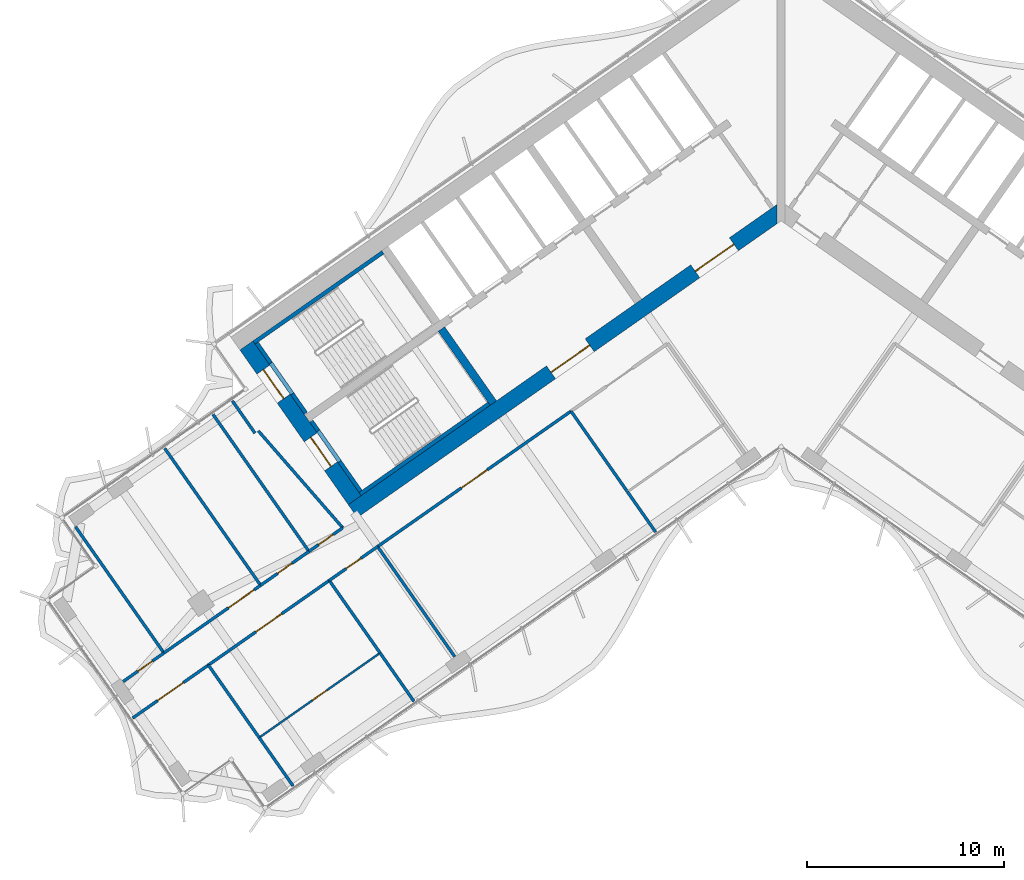
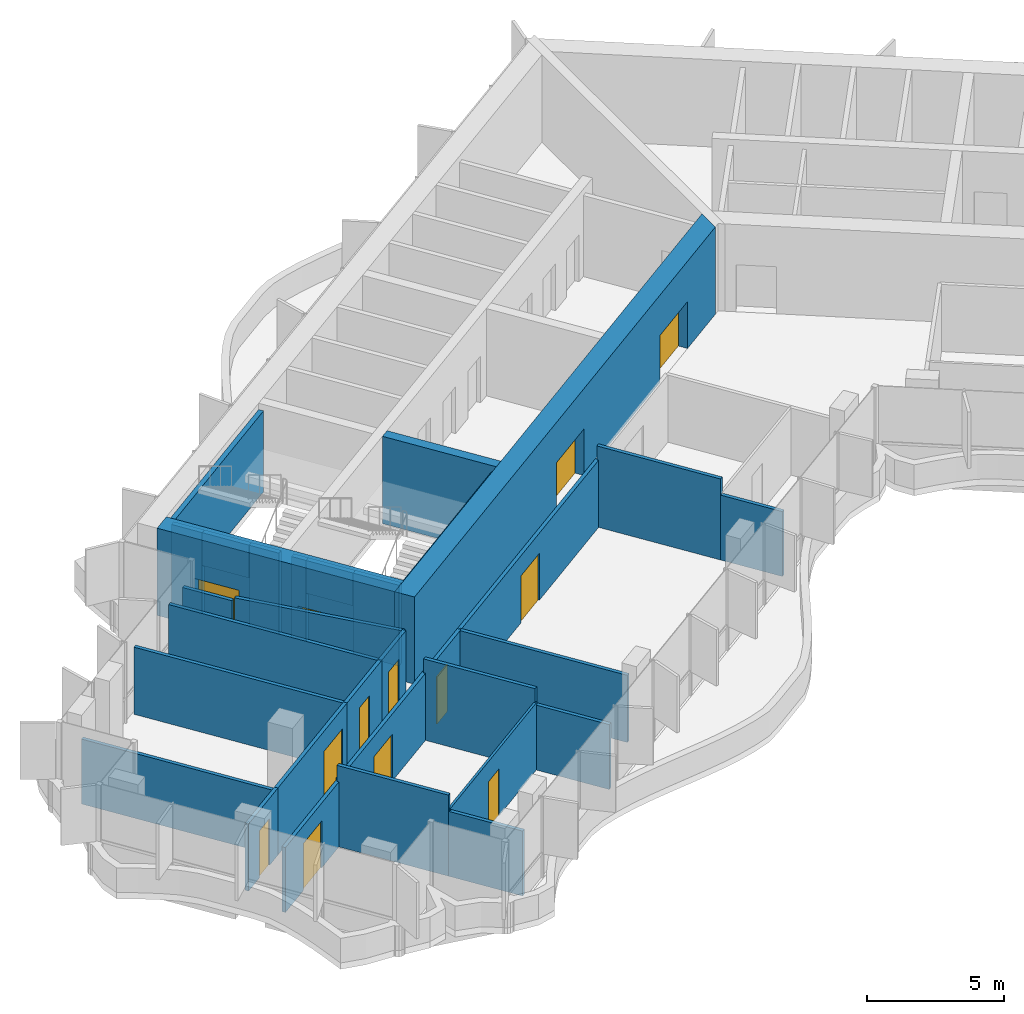
# One storey, part 14 of 23: 32 walls, 13 doors, 13 openings.
"""IFC4 building model written with IfcOpenShell, lengths in metres."""

from ifc_helpers import new_model, si_unit, direction, frame, frame_2d, origin, place, context, subcontext, project, spatial, polyline, rectangle, outline, extrude, material, layer, layer_set, type_object, element, fill, save


model = new_model("IFC4")

# Units and contexts
model_context = context("Model", 3, precision=1e-05, world=origin(), true_north=direction((0.0, 1.0)))
body_context = subcontext(model_context, "Body", "Model", "MODEL_VIEW")
ifc_project = project(units=[si_unit("LENGTHUNIT", "METRE"), si_unit("AREAUNIT", "SQUARE_METRE"), si_unit("VOLUMEUNIT", "CUBIC_METRE"), si_unit("PLANEANGLEUNIT", "RADIAN"), si_unit("MASSUNIT", "GRAM", prefix="KILO")], contexts=[model_context])

# Site, building, storey
site_placement = place(None, origin())
site = spatial("IfcSite", under=ifc_project, at=site_placement, CompositionType="ELEMENT")
building_placement = place(site_placement, origin())
building = spatial("IfcBuilding", under=site, at=building_placement, Name="Tel Ilan Convention Tower", CompositionType="ELEMENT")
storey_placement = place(building_placement, frame((0.0, 0.0, 174.89990234375)))
storey = spatial("IfcBuildingStorey", under=building, at=storey_placement, Name="L40", CompositionType="ELEMENT", Elevation=174.89990234375)

# Wall
ifc_material_1 = material(Name="Concrete C50/60", Category="concrete")
ifc_layer_1 = layer(ifc_material_1, 0.39990234375)
ifc_layer_set_1 = layer_set([ifc_layer_1], Name="Core Shear Wall 400 mm C50/60")
wall_type_1 = type_object("IfcWallType", Name="Core Shear Wall 400 mm C50/60", PredefinedType="SHEAR", material=ifc_layer_set_1)
wall_1_placement = place(storey_placement, frame((-14.6298828125, -10.48828125, 0.0), z_axis=(0.0, 0.0, 1.0), x_axis=(-0.573611936273, 0.819127185829, 0.0)))
element("IfcWall", 1, at=wall_1_placement, inside=storey, type_object=wall_type_1, Name="L40 core wall W-cross2-1", PredefinedType="SHEAR", context=body_context, shape_type="SweptSolid", body=[
    extrude(outline(polyline([(4.60009765625, 0.199951171875), (0.000244140625, 0.2001953125), (0.000244140625, -0.199951171875), (4.60009765625, -0.2001953125), (4.60009765625, 0.199951171875)])), origin(), (0.0, 0.0, 1.0), 3.900146484375),
])

# Wall, openings, doors
ifc_material_2 = material(Name="Concrete C50/60", Category="concrete")
ifc_layer_2 = layer(ifc_material_2, 0.800048828125)
ifc_layer_set_2 = layer_set([ifc_layer_2], Name="Core Shear Wall 800 mm C50/60")
wall_type_2 = type_object("IfcWallType", Name="Core Shear Wall 800 mm C50/60", PredefinedType="SHEAR", material=ifc_layer_set_2)
wall_2_placement = place(storey_placement, frame((0.029296875, -0.7119140625, 0.0), z_axis=(0.0, 0.0, 1.0), x_axis=(-0.819151758019, -0.573576845187, 0.0)))
wall_2 = element("IfcWall", 2, at=wall_2_placement, inside=storey, type_object=wall_type_2, Name="L40 core wall W-front", PredefinedType="SHEAR", context=body_context, shape_type="SweptSolid", body=[
    extrude(outline(polyline([(26.61572265625, 0.39990234375), (0.56005859375, 0.39990234375), (-0.000244140625, -0.39990234375), (26.61572265625, -0.39990234375), (26.61572265625, 0.39990234375)])), origin(), (0.0, 0.0, 1.0), 3.900146484375),
])
opening_1_placement = place(wall_2_placement, frame((2.9658203125, 0.0, 0.0)))
opening_1 = element("IfcOpeningElement", 3, at=opening_1_placement, cuts=wall_2, Name="Opening CD3105", PredefinedType="OPENING", context=body_context, shape_type="SweptSolid", body=[
    extrude(rectangle(XDim=2.39990234375, YDim=2.10009765625, at=frame_2d((1.199951171875, 1.050048828125))), frame((0.0, 0.409912109375, 0.0), z_axis=(0.0, -1.0, 0.0), x_axis=(1.0, 0.0, 0.0)), (0.0, 0.0, 1.0), 0.820068359375),
])
opening_2_placement = place(wall_2_placement, frame((11.915771484375, 0.0, 0.0)))
opening_2 = element("IfcOpeningElement", 4, at=opening_2_placement, cuts=wall_2, Name="Opening CD3106", PredefinedType="OPENING", context=body_context, shape_type="SweptSolid", body=[
    extrude(rectangle(XDim=2.39990234375, YDim=2.10009765625, at=frame_2d((1.199951171875, 1.050048828125))), frame((0.0, 0.409912109375, 0.0), z_axis=(0.0, -1.0, 0.0), x_axis=(1.0, 0.0, 0.0)), (0.0, 0.0, 1.0), 0.820068359375),
])
ifc_material_3 = material(Name="Glazed Aluminium Door Leaf", Category="aluminium")
door_type_1 = type_object("IfcDoorType", Name="Lobby Opening Door 2400 x 2100 FD60S", OperationType="NOTDEFINED", PredefinedType="DOOR", material=ifc_material_3)
door_1_placement = place(opening_1_placement, origin())
door_1 = element("IfcDoor", 5, at=door_1_placement, inside=storey, type_object=door_type_1, Name="Lift Lobby LR1-LR4 opening", OperationType="DOUBLE_DOOR_SINGLE_SWING", OverallHeight=2.10009765625, OverallWidth=2.39990234375, PredefinedType="DOOR", context=body_context, shape_type="SweptSolid", body=[
    extrude(rectangle(XDim=2.39990234375, YDim=2.10009765625, at=frame_2d((1.199951171875, 1.050048828125))), frame((0.0, 0.02490234375, 0.0), z_axis=(0.0, -1.0, 0.0), x_axis=(1.0, 0.0, 0.0)), (0.0, 0.0, 1.0), 0.050048828125),
])
fill(opening_1, door_1)
door_2_placement = place(opening_2_placement, origin())
door_2 = element("IfcDoor", 6, at=door_2_placement, inside=storey, type_object=door_type_1, Name="Lift Lobby LR5-LR8 opening", OperationType="DOUBLE_DOOR_SINGLE_SWING", OverallHeight=2.10009765625, OverallWidth=2.39990234375, PredefinedType="DOOR", context=body_context, shape_type="SweptSolid", body=[
    extrude(rectangle(XDim=2.39990234375, YDim=2.10009765625, at=frame_2d((1.199951171875, 1.050048828125))), frame((0.0, 0.02490234375, 0.0), z_axis=(0.0, -1.0, 0.0), x_axis=(1.0, 0.0, 0.0)), (0.0, 0.0, 1.0), 0.050048828125),
])
fill(opening_2, door_2)

wall_3_placement = place(storey_placement, frame((-21.6748046875, -15.4208984375, 0.0), z_axis=(0.0, 0.0, 1.0), x_axis=(-0.573581815061, 0.819148278049, 0.0)))
wall_3 = element("IfcWall", 7, at=wall_3_placement, inside=storey, type_object=wall_type_2, Name="L40 core wall W-end", PredefinedType="SHEAR", context=body_context, shape_type="SweptSolid", body=[
    extrude(outline(polyline([(0.0, 0.39990234375), (0.0, -0.39990234375), (9.599853515625, -0.400146484375), (9.599853515625, 0.39990234375), (0.0, 0.39990234375)])), origin(), (0.0, 0.0, 1.0), 3.900146484375),
])
opening_3_placement = place(wall_3_placement, frame((6.300048828125, 0.0, 0.0)))
opening_3 = element("IfcOpeningElement", 8, at=opening_3_placement, cuts=wall_3, Name="Opening SD3101", PredefinedType="OPENING", context=body_context, shape_type="SweptSolid", body=[
    extrude(rectangle(XDim=1.800048828125, YDim=2.10009765625, at=frame_2d((0.89990234375, 1.050048828125))), frame((0.0, 0.409912109375, 0.0), z_axis=(0.0, -1.0, 0.0), x_axis=(1.0, 0.0, 0.0)), (0.0, 0.0, 1.0), 0.820068359375),
])
opening_4_placement = place(wall_3_placement, frame((2.10009765625, 0.0, 0.0)))
opening_4 = element("IfcOpeningElement", 9, at=opening_4_placement, cuts=wall_3, Name="Opening SD3102", PredefinedType="OPENING", context=body_context, shape_type="SweptSolid", body=[
    extrude(rectangle(XDim=1.800048828125, YDim=2.10009765625, at=frame_2d((0.89990234375, 1.050048828125))), frame((0.0, 0.409912109375, 0.0), z_axis=(0.0, -1.0, 0.0), x_axis=(1.0, 0.0, 0.0)), (0.0, 0.0, 1.0), 0.820068359375),
])
ifc_material_4 = material(Name="Galvanised Steel Door Leaf", Category="steel")
door_type_2 = type_object("IfcDoorType", Name="Stair Fire Door 1800 x 2100 FD60S", OperationType="NOTDEFINED", PredefinedType="DOOR", material=ifc_material_4)
door_3_placement = place(opening_3_placement, origin())
door_3 = element("IfcDoor", 10, at=door_3_placement, inside=storey, type_object=door_type_2, Name="Stair S1 door", OperationType="DOUBLE_DOOR_SINGLE_SWING", OverallHeight=2.10009765625, OverallWidth=1.800048828125, PredefinedType="DOOR", context=body_context, shape_type="SweptSolid", body=[
    extrude(rectangle(XDim=1.800048828125, YDim=2.10009765625, at=frame_2d((0.89990234375, 1.050048828125))), frame((0.0, 0.02490234375, 0.0), z_axis=(0.0, -1.0, 0.0), x_axis=(1.0, 0.0, 0.0)), (0.0, 0.0, 1.0), 0.050048828125),
])
fill(opening_3, door_3)
door_4_placement = place(opening_4_placement, origin())
door_4 = element("IfcDoor", 11, at=door_4_placement, inside=storey, type_object=door_type_2, Name="Stair S2 door", OperationType="DOUBLE_DOOR_SINGLE_SWING", OverallHeight=2.10009765625, OverallWidth=1.800048828125, PredefinedType="DOOR", context=body_context, shape_type="SweptSolid", body=[
    extrude(rectangle(XDim=1.800048828125, YDim=2.10009765625, at=frame_2d((0.89990234375, 1.050048828125))), frame((0.0, 0.02490234375, 0.0), z_axis=(0.0, -1.0, 0.0), x_axis=(1.0, 0.0, 0.0)), (0.0, 0.0, 1.0), 0.050048828125),
])
fill(opening_4, door_4)

# Wall, opening, door
ifc_material_5 = material(Name="Plasterboard on Steel Studs", Category="steel")
ifc_layer_3 = layer(ifc_material_5, 0.14990234375)
ifc_layer_set_3 = layer_set([ifc_layer_3], Name="Fire-rated Partition 150 EI 60")
wall_type_3 = type_object("IfcWallType", Name="Fire-rated Partition 150 EI 60", PredefinedType="PARTITIONING", material=ifc_layer_set_3)
wall_4_placement = place(storey_placement, frame((-24.002197265625, -18.028076171875, 0.0), z_axis=(0.0, 0.0, 1.0), x_axis=(0.819144473797, 0.573587247982, 0.0)))
wall_4 = element("IfcWall", 12, at=wall_4_placement, inside=storey, type_object=wall_type_3, Name="Partition 008", PredefinedType="PARTITIONING", context=body_context, shape_type="SweptSolid", body=[
    extrude(rectangle(XDim=2.098876953125, YDim=0.14990234375, at=frame_2d((1.04931640625, 0.0))), origin(), (0.0, 0.0, 1.0), 3.0),
])
opening_5_placement = place(wall_4_placement, frame((0.599365234375, 0.0, 0.0)))
opening_5 = element("IfcOpeningElement", 13, at=opening_5_placement, cuts=wall_4, Name="Opening L39-008", PredefinedType="OPENING", context=body_context, shape_type="SweptSolid", body=[
    extrude(rectangle(XDim=0.89990234375, YDim=2.10009765625, at=frame_2d((0.449951171875, 1.050048828125))), frame((0.0, 0.0849609375, 0.0), z_axis=(0.0, -1.0, 0.0), x_axis=(1.0, 0.0, 0.0)), (0.0, 0.0, 1.0), 0.169921875),
])
ifc_material_6 = material(Name="Timber Door Leaf in Steel Frame", Category="steel")
door_type_3 = type_object("IfcDoorType", Name="Room Fire Door 900x2100", OperationType="NOTDEFINED", PredefinedType="DOOR", material=ifc_material_6)
door_5_placement = place(opening_5_placement, origin())
door_5 = element("IfcDoor", 14, at=door_5_placement, inside=storey, type_object=door_type_3, Name="Door L39-008", OperationType="SINGLE_SWING_RIGHT", OverallHeight=2.10009765625, OverallWidth=0.89990234375, PredefinedType="DOOR", context=body_context, shape_type="SweptSolid", body=[
    extrude(rectangle(XDim=0.89990234375, YDim=2.10009765625, at=frame_2d((0.449951171875, 1.050048828125))), frame((0.0, 0.02490234375, 0.0), z_axis=(0.0, -1.0, 0.0), x_axis=(1.0, 0.0, 0.0)), (0.0, 0.0, 1.0), 0.050048828125),
])
fill(opening_5, door_5)

wall_5_placement = place(storey_placement, frame((-26.459716796875, -19.748779296875, 0.0), z_axis=(0.0, 0.0, 1.0), x_axis=(0.81916700466, 0.573555070134, 0.0)))
wall_5 = element("IfcWall", 15, at=wall_5_placement, inside=storey, type_object=wall_type_3, Name="Partition 009", PredefinedType="PARTITIONING", context=body_context, shape_type="SweptSolid", body=[
    extrude(rectangle(XDim=3.00390625, YDim=0.14990234375, at=frame_2d((1.501953125, 0.0))), origin(), (0.0, 0.0, 1.0), 3.0),
])
opening_6_placement = place(wall_5_placement, frame((1.052001953125, 0.0, 0.0)))
opening_6 = element("IfcOpeningElement", 16, at=opening_6_placement, cuts=wall_5, Name="Opening L39-009", PredefinedType="OPENING", context=body_context, shape_type="SweptSolid", body=[
    extrude(rectangle(XDim=0.89990234375, YDim=2.10009765625, at=frame_2d((0.449951171875, 1.050048828125))), frame((0.0, 0.0849609375, 0.0), z_axis=(0.0, -1.0, 0.0), x_axis=(1.0, 0.0, 0.0)), (0.0, 0.0, 1.0), 0.169921875),
])
door_6_placement = place(opening_6_placement, origin())
door_6 = element("IfcDoor", 17, at=door_6_placement, inside=storey, type_object=door_type_3, Name="Door L39-009", OperationType="SINGLE_SWING_RIGHT", OverallHeight=2.10009765625, OverallWidth=0.89990234375, PredefinedType="DOOR", context=body_context, shape_type="SweptSolid", body=[
    extrude(rectangle(XDim=0.89990234375, YDim=2.10009765625, at=frame_2d((0.449951171875, 1.050048828125))), frame((0.0, 0.02490234375, 0.0), z_axis=(0.0, -1.0, 0.0), x_axis=(1.0, 0.0, 0.0)), (0.0, 0.0, 1.0), 0.050048828125),
])
fill(opening_6, door_6)

wall_6_placement = place(storey_placement, frame((-31.37451171875, -23.190185546875, 0.0), z_axis=(0.0, 0.0, 1.0), x_axis=(0.819151674578, 0.573576964353, 0.0)))
wall_6 = element("IfcWall", 18, at=wall_6_placement, inside=storey, type_object=wall_type_3, Name="Partition 010", PredefinedType="PARTITIONING", context=body_context, shape_type="SweptSolid", body=[
    extrude(rectangle(XDim=6.003662109375, YDim=0.14990234375, at=frame_2d((3.001953125, 0.0))), origin(), (0.0, 0.0, 1.0), 3.0),
])
opening_7_placement = place(wall_6_placement, frame((4.001953125, 0.0, 0.0)))
opening_7 = element("IfcOpeningElement", 19, at=opening_7_placement, cuts=wall_6, Name="Opening L39-010", PredefinedType="OPENING", context=body_context, shape_type="SweptSolid", body=[
    extrude(rectangle(XDim=1.60009765625, YDim=2.10009765625, at=frame_2d((0.800048828125, 1.050048828125))), frame((0.0, 0.0849609375, 0.0), z_axis=(0.0, -1.0, 0.0), x_axis=(1.0, 0.0, 0.0)), (0.0, 0.0, 1.0), 0.169921875),
])
ifc_material_7 = material(Name="Timber Door Leaf in Steel Frame", Category="steel")
door_type_4 = type_object("IfcDoorType", Name="Tenant Suite Entrance Fire Door 1600x2100", OperationType="NOTDEFINED", PredefinedType="DOOR", material=ifc_material_7)
door_7_placement = place(opening_7_placement, origin())
door_7 = element("IfcDoor", 20, at=door_7_placement, inside=storey, type_object=door_type_4, Name="Door L39-010", OperationType="DOUBLE_DOOR_SINGLE_SWING", OverallHeight=2.10009765625, OverallWidth=1.60009765625, PredefinedType="DOOR", context=body_context, shape_type="SweptSolid", body=[
    extrude(rectangle(XDim=1.60009765625, YDim=2.10009765625, at=frame_2d((0.800048828125, 1.050048828125))), frame((0.0, 0.02490234375, 0.0), z_axis=(0.0, -1.0, 0.0), x_axis=(1.0, 0.0, 0.0)), (0.0, 0.0, 1.0), 0.050048828125),
])
fill(opening_7, door_7)

wall_7_placement = place(storey_placement, frame((-33.4453125, -24.640380859375, 0.0), z_axis=(0.0, 0.0, 1.0), x_axis=(0.819163961478, 0.573559416465, 0.0)))
wall_7 = element("IfcWall", 21, at=wall_7_placement, inside=storey, type_object=wall_type_3, Name="Partition 011", PredefinedType="PARTITIONING", context=body_context, shape_type="SweptSolid", body=[
    extrude(rectangle(XDim=2.53173828125, YDim=0.14990234375, at=frame_2d((1.265869140625, 0.0))), origin(), (0.0, 0.0, 1.0), 3.0),
])
opening_8_placement = place(wall_7_placement, frame((0.916015625, 0.0, 0.0)))
opening_8 = element("IfcOpeningElement", 22, at=opening_8_placement, cuts=wall_7, Name="Opening L39-011", PredefinedType="OPENING", context=body_context, shape_type="SweptSolid", body=[
    extrude(rectangle(XDim=0.89990234375, YDim=2.10009765625, at=frame_2d((0.449951171875, 1.050048828125))), frame((0.0, 0.0849609375, 0.0), z_axis=(0.0, -1.0, 0.0), x_axis=(1.0, 0.0, 0.0)), (0.0, 0.0, 1.0), 0.169921875),
])
door_8_placement = place(opening_8_placement, origin())
door_8 = element("IfcDoor", 23, at=door_8_placement, inside=storey, type_object=door_type_3, Name="Door L39-011", OperationType="SINGLE_SWING_LEFT", OverallHeight=2.10009765625, OverallWidth=0.89990234375, PredefinedType="DOOR", context=body_context, shape_type="SweptSolid", body=[
    extrude(rectangle(XDim=0.89990234375, YDim=2.10009765625, at=frame_2d((0.449951171875, 1.050048828125))), frame((0.0, 0.02490234375, 0.0), z_axis=(0.0, -1.0, 0.0), x_axis=(1.0, 0.0, 0.0)), (0.0, 0.0, 1.0), 0.050048828125),
])
fill(opening_8, door_8)

wall_8_placement = place(storey_placement, frame((-10.6796875, -10.89599609375, 0.0), z_axis=(0.0, 0.0, 1.0), x_axis=(-0.81913827233, -0.573596104244, 0.0)))
wall_8 = element("IfcWall", 24, at=wall_8_placement, inside=storey, type_object=wall_type_3, Name="Partition 013", PredefinedType="PARTITIONING", context=body_context, shape_type="SweptSolid", body=[
    extrude(rectangle(XDim=12.004150390625, YDim=0.14990234375, at=frame_2d((6.001953125, 0.0))), origin(), (0.0, 0.0, 1.0), 3.0),
])
opening_9_placement = place(wall_8_placement, frame((5.201904296875, 0.0, 0.0)))
opening_9 = element("IfcOpeningElement", 25, at=opening_9_placement, cuts=wall_8, Name="Opening L39-003", PredefinedType="OPENING", context=body_context, shape_type="SweptSolid", body=[
    extrude(rectangle(XDim=1.60009765625, YDim=2.10009765625, at=frame_2d((0.800048828125, 1.050048828125))), frame((0.0, 0.0849609375, 0.0), z_axis=(0.0, -1.0, 0.0), x_axis=(1.0, 0.0, 0.0)), (0.0, 0.0, 1.0), 0.169921875),
])
door_9_placement = place(opening_9_placement, origin())
door_9 = element("IfcDoor", 26, at=door_9_placement, inside=storey, type_object=door_type_4, Name="Door L39-003", OperationType="DOUBLE_DOOR_SINGLE_SWING", OverallHeight=2.10009765625, OverallWidth=1.60009765625, PredefinedType="DOOR", context=body_context, shape_type="SweptSolid", body=[
    extrude(rectangle(XDim=1.60009765625, YDim=2.10009765625, at=frame_2d((0.800048828125, 1.050048828125))), frame((0.0, 0.02490234375, 0.0), z_axis=(0.0, -1.0, 0.0), x_axis=(1.0, 0.0, 0.0)), (0.0, 0.0, 1.0), 0.050048828125),
])
fill(opening_9, door_9)

wall_9_placement = place(storey_placement, frame((-20.509521484375, -17.779052734375, 0.0), z_axis=(0.0, 0.0, 1.0), x_axis=(-0.819128818764, -0.573609604409, 0.0)))
wall_9 = element("IfcWall", 27, at=wall_9_placement, inside=storey, type_object=wall_type_3, Name="Partition 014", PredefinedType="PARTITIONING", context=body_context, shape_type="SweptSolid", body=[
    extrude(rectangle(XDim=3.004150390625, YDim=0.14990234375, at=frame_2d((1.501953125, 0.0))), origin(), (0.0, 0.0, 1.0), 3.0),
])
opening_10_placement = place(wall_9_placement, frame((1.052001953125, 0.0, 0.0)))
opening_10 = element("IfcOpeningElement", 28, at=opening_10_placement, cuts=wall_9, Name="Opening L39-004", PredefinedType="OPENING", context=body_context, shape_type="SweptSolid", body=[
    extrude(rectangle(XDim=0.89990234375, YDim=2.10009765625, at=frame_2d((0.449951171875, 1.050048828125))), frame((0.0, 0.0849609375, 0.0), z_axis=(0.0, -1.0, 0.0), x_axis=(1.0, 0.0, 0.0)), (0.0, 0.0, 1.0), 0.169921875),
])
door_10_placement = place(opening_10_placement, origin())
door_10 = element("IfcDoor", 29, at=door_10_placement, inside=storey, type_object=door_type_3, Name="Door L39-004", OperationType="SINGLE_SWING_LEFT", OverallHeight=2.10009765625, OverallWidth=0.89990234375, PredefinedType="DOOR", context=body_context, shape_type="SweptSolid", body=[
    extrude(rectangle(XDim=0.89990234375, YDim=2.10009765625, at=frame_2d((0.449951171875, 1.050048828125))), frame((0.0, 0.02490234375, 0.0), z_axis=(0.0, -1.0, 0.0), x_axis=(1.0, 0.0, 0.0)), (0.0, 0.0, 1.0), 0.050048828125),
])
fill(opening_10, door_10)

wall_10_placement = place(storey_placement, frame((-22.966796875, -19.499755859375, 0.0), z_axis=(0.0, 0.0, 1.0), x_axis=(-0.819149375276, -0.573580248078, 0.0)))
wall_10 = element("IfcWall", 30, at=wall_10_placement, inside=storey, type_object=wall_type_3, Name="Partition 015", PredefinedType="PARTITIONING", context=body_context, shape_type="SweptSolid", body=[
    extrude(rectangle(XDim=7.504150390625, YDim=0.14990234375, at=frame_2d((3.751953125, 0.0))), origin(), (0.0, 0.0, 1.0), 3.0),
])
opening_11_placement = place(wall_10_placement, frame((2.951904296875, 0.0, 0.0)))
opening_11 = element("IfcOpeningElement", 31, at=opening_11_placement, cuts=wall_10, Name="Opening L39-005", PredefinedType="OPENING", context=body_context, shape_type="SweptSolid", body=[
    extrude(rectangle(XDim=1.60009765625, YDim=2.10009765625, at=frame_2d((0.800048828125, 1.050048828125))), frame((0.0, 0.0849609375, 0.0), z_axis=(0.0, -1.0, 0.0), x_axis=(1.0, 0.0, 0.0)), (0.0, 0.0, 1.0), 0.169921875),
])
door_11_placement = place(opening_11_placement, origin())
door_11 = element("IfcDoor", 32, at=door_11_placement, inside=storey, type_object=door_type_4, Name="Door L39-005", OperationType="DOUBLE_DOOR_SINGLE_SWING", OverallHeight=2.10009765625, OverallWidth=1.60009765625, PredefinedType="DOOR", context=body_context, shape_type="SweptSolid", body=[
    extrude(rectangle(XDim=1.60009765625, YDim=2.10009765625, at=frame_2d((0.800048828125, 1.050048828125))), frame((0.0, 0.02490234375, 0.0), z_axis=(0.0, -1.0, 0.0), x_axis=(1.0, 0.0, 0.0)), (0.0, 0.0, 1.0), 0.050048828125),
])
fill(opening_11, door_11)

wall_11_placement = place(storey_placement, frame((-29.110595703125, -23.801513671875, 0.0), z_axis=(0.0, 0.0, 1.0), x_axis=(-0.819139214842, -0.573594758263, 0.0)))
wall_11 = element("IfcWall", 33, at=wall_11_placement, inside=storey, type_object=wall_type_3, Name="Partition 016", PredefinedType="PARTITIONING", context=body_context, shape_type="SweptSolid", body=[
    extrude(rectangle(XDim=4.701904296875, YDim=0.14990234375, at=frame_2d((2.35107421875, 0.0))), origin(), (0.0, 0.0, 1.0), 2.900146484375),
])
opening_12_placement = place(wall_11_placement, frame((1.551025390625, 0.0, 0.0)))
opening_12 = element("IfcOpeningElement", 34, at=opening_12_placement, cuts=wall_11, Name="Opening L39-007", PredefinedType="OPENING", context=body_context, shape_type="SweptSolid", body=[
    extrude(rectangle(XDim=1.60009765625, YDim=2.10009765625, at=frame_2d((0.800048828125, 1.050048828125))), frame((0.0, 0.0849609375, 0.0), z_axis=(0.0, -1.0, 0.0), x_axis=(1.0, 0.0, 0.0)), (0.0, 0.0, 1.0), 0.169921875),
])
door_12_placement = place(opening_12_placement, origin())
door_12 = element("IfcDoor", 35, at=door_12_placement, inside=storey, type_object=door_type_4, Name="Door L39-007", OperationType="DOUBLE_DOOR_SINGLE_SWING", OverallHeight=2.10009765625, OverallWidth=1.60009765625, PredefinedType="DOOR", context=body_context, shape_type="SweptSolid", body=[
    extrude(rectangle(XDim=1.60009765625, YDim=2.10009765625, at=frame_2d((0.800048828125, 1.050048828125))), frame((0.0, 0.02490234375, 0.0), z_axis=(0.0, -1.0, 0.0), x_axis=(1.0, 0.0, 0.0)), (0.0, 0.0, 1.0), 0.050048828125),
])
fill(opening_12, door_12)

# Walls
wall_12_placement = place(storey_placement, frame((-26.74609375, -12.013671875, 0.0), z_axis=(0.0, 0.0, 1.0), x_axis=(-0.573568836472, 0.819157365729, 0.0)))
element("IfcWall", 36, at=wall_12_placement, inside=storey, type_object=wall_type_3, Name="Partition 035", PredefinedType="PARTITIONING", context=body_context, shape_type="SweptSolid", body=[
    extrude(rectangle(XDim=2.000244140625, YDim=0.14990234375, at=frame_2d((1.0, 0.0))), origin(), (0.0, 0.0, 1.0), 3.0),
])
wall_13_placement = place(storey_placement, frame((-22.28369140625, -16.826416015625, 0.0), z_axis=(0.0, 0.0, 1.0), x_axis=(-0.656758142177, 0.754101281449, 0.0)))
element("IfcWall", 37, at=wall_13_placement, inside=storey, type_object=wall_type_3, Name="Partition 036", PredefinedType="PARTITIONING", context=body_context, shape_type="SweptSolid", body=[
    extrude(rectangle(XDim=6.53857421875, YDim=0.14990234375, at=frame_2d((3.269287109375, 0.0))), origin(), (0.0, 0.0, 1.0), 3.0),
])
for number, where, z_axis, x_axis, name in (
    (38, (-24.0009765625, -18.0263671875, 0.0), (0.0, 0.0, 1.0), (-0.573591492816, 0.819141501433, 0.0), "Partition 037"),
    (39, (-26.45849609375, -19.747314453125, 0.0), (0.0, 0.0, 1.0), (-0.573558724475, 0.819164445993, 0.0), "Partition 038"),
):
    element("IfcWall", number, at=place(storey_placement, frame(where, z_axis=z_axis, x_axis=x_axis)), inside=storey, type_object=wall_type_3, Name=name, PredefinedType="PARTITIONING", context=body_context, shape_type="SweptSolid", body=[
        extrude(rectangle(XDim=8.5, YDim=0.14990234375, at=frame_2d((4.25, 0.0))), origin(), (0.0, 0.0, 1.0), 3.0),
    ])
wall_14_placement = place(storey_placement, frame((-31.373291015625, -23.188720703125, 0.0), z_axis=(0.0, 0.0, 1.0), x_axis=(-0.573579523489, 0.819149882643, 0.0)))
element("IfcWall", 40, at=wall_14_placement, inside=storey, type_object=wall_type_3, Name="Partition 039", PredefinedType="PARTITIONING", context=body_context, shape_type="SweptSolid", body=[
    extrude(rectangle(XDim=7.830078125, YDim=0.14990234375, at=frame_2d((3.9150390625, 0.0))), origin(), (0.0, 0.0, 1.0), 2.900146484375),
])
wall_15_placement = place(storey_placement, frame((-6.37939453125, -17.041015625, 0.0), z_axis=(0.0, 0.0, 1.0), x_axis=(-0.573560689761, 0.819163069945, 0.0)))
element("IfcWall", 41, at=wall_15_placement, inside=storey, type_object=wall_type_3, Name="Partition 041", PredefinedType="PARTITIONING", context=body_context, shape_type="SweptSolid", body=[
    extrude(rectangle(XDim=2.4990234375, YDim=0.14990234375, at=frame_2d((1.24951171875, 0.0))), origin(), (0.0, 0.0, 1.0), 2.900146484375),
])
wall_16_placement = place(storey_placement, frame((-7.8134765625, -14.992919921875, 0.0), z_axis=(0.0, 0.0, 1.0), x_axis=(-0.573586866468, 0.819144740944, 0.0)))
element("IfcWall", 42, at=wall_16_placement, inside=storey, type_object=wall_type_3, Name="Partition 042", PredefinedType="PARTITIONING", context=body_context, shape_type="SweptSolid", body=[
    extrude(rectangle(XDim=5.0, YDim=0.14990234375, at=frame_2d((2.5, 0.0))), origin(), (0.0, 0.0, 1.0), 3.6201171875),
])
wall_17_placement = place(storey_placement, frame((-16.593505859375, -23.375, 0.0), z_axis=(0.0, 0.0, 1.0), x_axis=(-0.573577493031, 0.819151304393, 0.0)))
element("IfcWall", 43, at=wall_17_placement, inside=storey, type_object=wall_type_3, Name="Partition 043", PredefinedType="PARTITIONING", context=body_context, shape_type="SweptSolid", body=[
    extrude(rectangle(XDim=6.829833984375, YDim=0.14990234375, at=frame_2d((3.4150390625, 0.0))), origin(), (0.0, 0.0, 1.0), 3.0),
])
wall_18_placement = place(storey_placement, frame((-18.666748046875, -25.64453125, 0.0), z_axis=(0.0, 0.0, 1.0), x_axis=(-0.573555162214, 0.819166940189, 0.0)))
element("IfcWall", 44, at=wall_18_placement, inside=storey, type_object=wall_type_3, Name="Partition 044", PredefinedType="PARTITIONING", context=body_context, shape_type="SweptSolid", body=[
    extrude(rectangle(XDim=3.0009765625, YDim=0.14990234375, at=frame_2d((1.50048828125, 0.0))), origin(), (0.0, 0.0, 1.0), 2.900146484375),
])
wall_19_placement = place(storey_placement, frame((-20.38623046875, -23.188720703125, 0.0), z_axis=(0.0, 0.0, 1.0), x_axis=(-0.573589723117, 0.819142740634, 0.0)))
element("IfcWall", 45, at=wall_19_placement, inside=storey, type_object=wall_type_3, Name="Partition 045", PredefinedType="PARTITIONING", context=body_context, shape_type="SweptSolid", body=[
    extrude(rectangle(XDim=4.501953125, YDim=0.14990234375, at=frame_2d((2.2509765625, 0.0))), origin(), (0.0, 0.0, 1.0), 3.6201171875),
])
wall_20_placement = place(storey_placement, frame((-24.810302734375, -29.9462890625, 0.0), z_axis=(0.0, 0.0, 1.0), x_axis=(-0.573604390867, 0.819132469615, 0.0)))
element("IfcWall", 46, at=wall_20_placement, inside=storey, type_object=wall_type_3, Name="Partition 047", PredefinedType="PARTITIONING", context=body_context, shape_type="SweptSolid", body=[
    extrude(rectangle(XDim=2.9990234375, YDim=0.14990234375, at=frame_2d((1.49951171875, 0.0))), origin(), (0.0, 0.0, 1.0), 2.900146484375),
])
wall_21_placement = place(storey_placement, frame((-26.531005859375, -27.489013671875, 0.0), z_axis=(0.0, 0.0, 1.0), x_axis=(-0.573597054147, 0.819137607166, 0.0)))
element("IfcWall", 47, at=wall_21_placement, inside=storey, type_object=wall_type_3, Name="Partition 048", PredefinedType="PARTITIONING", context=body_context, shape_type="SweptSolid", body=[
    extrude(rectangle(XDim=4.500244140625, YDim=0.14990234375, at=frame_2d((2.25, 0.0))), origin(), (0.0, 0.0, 1.0), 3.6201171875),
])

# Wall, opening, door
ifc_material_8 = material(Name="Plasterboard on Steel Studs", Category="steel")
ifc_layer_4 = layer(ifc_material_8, 0.10009765625)
ifc_layer_set_4 = layer_set([ifc_layer_4], Name="Plasterboard Partition 100")
wall_type_4 = type_object("IfcWallType", Name="Plasterboard Partition 100", PredefinedType="PARTITIONING", material=ifc_layer_set_4)
wall_22_placement = place(storey_placement, frame((-20.386962890625, -23.18798828125, 0.0), z_axis=(0.0, 0.0, 1.0), x_axis=(-0.81915238829, -0.573575945067, 0.0)))
wall_22 = element("IfcWall", 48, at=wall_22_placement, inside=storey, type_object=wall_type_4, Name="Partition 046", PredefinedType="PARTITIONING", context=body_context, shape_type="SweptSolid", body=[
    extrude(rectangle(XDim=7.5, YDim=0.10009765625, at=frame_2d((3.75, 0.0))), origin(), (0.0, 0.0, 1.0), 3.0),
])
opening_13_placement = place(wall_22_placement, frame((3.300048828125, 0.0, 0.0)))
opening_13 = element("IfcOpeningElement", 49, at=opening_13_placement, cuts=wall_22, Name="Opening L39-006", PredefinedType="OPENING", context=body_context, shape_type="SweptSolid", body=[
    extrude(rectangle(XDim=0.89990234375, YDim=2.10009765625, at=frame_2d((0.449951171875, 1.050048828125))), frame((0.0, 0.06005859375, 0.0), z_axis=(0.0, -1.0, 0.0), x_axis=(1.0, 0.0, 0.0)), (0.0, 0.0, 1.0), 0.1201171875),
])
ifc_material_9 = material(Name="Timber Door Leaf in Steel Frame", Category="steel")
door_type_5 = type_object("IfcDoorType", Name="Room Timber Door 900x2100", OperationType="NOTDEFINED", PredefinedType="DOOR", material=ifc_material_9)
door_13_placement = place(opening_13_placement, origin())
door_13 = element("IfcDoor", 50, at=door_13_placement, inside=storey, type_object=door_type_5, Name="Door L39-006", OperationType="SINGLE_SWING_RIGHT", OverallHeight=2.10009765625, OverallWidth=0.89990234375, PredefinedType="DOOR", context=body_context, shape_type="SweptSolid", body=[
    extrude(rectangle(XDim=0.89990234375, YDim=2.10009765625, at=frame_2d((0.449951171875, 1.050048828125))), frame((0.0, 0.02490234375, 0.0), z_axis=(0.0, -1.0, 0.0), x_axis=(1.0, 0.0, 0.0)), (0.0, 0.0, 1.0), 0.050048828125),
])
fill(opening_13, door_13)

# Walls
ifc_material_10 = material(Name="Concrete C30/37", Category="concrete")
ifc_layer_5 = layer(ifc_material_10, 0.199951171875)
ifc_layer_set_5 = layer_set([ifc_layer_5], Name="Stair and Shaft Lining Wall 200 mm C30/37")
wall_type_5 = type_object("IfcWallType", Name="Stair and Shaft Lining Wall 200 mm C30/37", PredefinedType="SOLIDWALL", material=ifc_layer_set_5)
wall_23_placement = place(storey_placement, frame((-20.242919921875, -2.821044921875, 0.0), z_axis=(0.0, 0.0, 1.0), x_axis=(-0.819141584393, -0.57359137434, 0.0)))
element("IfcWall", 51, at=wall_23_placement, inside=storey, type_object=wall_type_5, Name="L40 core wall lining-S1-t1", PredefinedType="SOLIDWALL", context=body_context, shape_type="SweptSolid", body=[
    extrude(rectangle(XDim=7.999755859375, YDim=0.199951171875, at=frame_2d((4.0, 0.0))), origin(), (0.0, 0.0, 1.0), 3.6201171875),
])
wall_24_placement = place(storey_placement, frame((-24.16162109375, -10.99755859375, 0.0), z_axis=(0.0, 0.0, 1.0), x_axis=(-0.573612502218, 0.819126789514, 0.0)))
element("IfcWall", 52, at=wall_24_placement, inside=storey, type_object=wall_type_5, Name="L40 core wall lining-S1-u1-0", PredefinedType="SOLIDWALL", context=body_context, shape_type="SweptSolid", body=[
    extrude(rectangle(XDim=1.2001953125, YDim=0.199951171875, at=frame_2d((0.60009765625, 0.0))), origin(), (0.0, 0.0, 1.0), 3.6201171875),
])
wall_25_placement = place(storey_placement, frame((-25.939697265625, -8.4580078125, 0.0), z_axis=(0.0, 0.0, 1.0), x_axis=(-0.573619628835, 0.819121798889, 0.0)))
element("IfcWall", 53, at=wall_25_placement, inside=storey, type_object=wall_type_5, Name="L40 core wall lining-S1-u1-1", PredefinedType="SOLIDWALL", context=body_context, shape_type="SweptSolid", body=[
    extrude(rectangle(XDim=1.25, YDim=0.199951171875, at=frame_2d((0.625, 0.0))), origin(), (0.0, 0.0, 1.0), 3.6201171875),
])
wall_26_placement = place(storey_placement, frame((-24.85009765625, -10.014404296875, 2.150146484375), z_axis=(0.0, 0.0, 1.0), x_axis=(-0.573505465124, 0.819201734296, 0.0)))
element("IfcWall", 54, at=wall_26_placement, inside=storey, type_object=wall_type_5, Name="L40 core wall lining-S1-u1-lintel", PredefinedType="SOLIDWALL", context=body_context, shape_type="SweptSolid", body=[
    extrude(rectangle(XDim=1.89990234375, YDim=0.199951171875, at=frame_2d((0.949951171875, 0.0))), origin(), (0.0, 0.0, 1.0), 1.469970703125),
])
wall_27_placement = place(storey_placement, frame((-14.851318359375, -10.52099609375, 0.0), z_axis=(0.0, 0.0, 1.0), x_axis=(-0.819141584393, -0.57359137434, 0.0)))
element("IfcWall", 55, at=wall_27_placement, inside=storey, type_object=wall_type_5, Name="L40 core wall lining-S2-t0", PredefinedType="SOLIDWALL", context=body_context, shape_type="SweptSolid", body=[
    extrude(rectangle(XDim=7.999755859375, YDim=0.199951171875, at=frame_2d((4.0, 0.0))), origin(), (0.0, 0.0, 1.0), 3.6201171875),
])
wall_28_placement = place(storey_placement, frame((-21.3798828125, -14.97021484375, 0.0), z_axis=(0.0, 0.0, 1.0), x_axis=(-0.573559770908, 0.819163713305, 0.0)))
element("IfcWall", 56, at=wall_28_placement, inside=storey, type_object=wall_type_5, Name="L40 core wall lining-S2-u1-0", PredefinedType="SOLIDWALL", context=body_context, shape_type="SweptSolid", body=[
    extrude(rectangle(XDim=1.849853515625, YDim=0.199951171875, at=frame_2d((0.9248046875, 0.0))), origin(), (0.0, 0.0, 1.0), 3.6201171875),
])
wall_29_placement = place(storey_placement, frame((-23.53076171875, -11.8984375, 0.0), z_axis=(0.0, 0.0, 1.0), x_axis=(-0.573708088123, 0.819059844958, 0.0)))
element("IfcWall", 57, at=wall_29_placement, inside=storey, type_object=wall_type_5, Name="L40 core wall lining-S2-u1-1", PredefinedType="SOLIDWALL", context=body_context, shape_type="SweptSolid", body=[
    extrude(rectangle(XDim=0.60009765625, YDim=0.199951171875, at=frame_2d((0.300048828125, 0.0))), origin(), (0.0, 0.0, 1.0), 3.6201171875),
])
wall_30_placement = place(storey_placement, frame((-22.44091796875, -13.454833984375, 2.150146484375), z_axis=(0.0, 0.0, 1.0), x_axis=(-0.573591692345, 0.819141361715, 0.0)))
element("IfcWall", 58, at=wall_30_placement, inside=storey, type_object=wall_type_5, Name="L40 core wall lining-S2-u1-lintel", PredefinedType="SOLIDWALL", context=body_context, shape_type="SweptSolid", body=[
    extrude(rectangle(XDim=1.900146484375, YDim=0.199951171875, at=frame_2d((0.9501953125, 0.0))), origin(), (0.0, 0.0, 1.0), 1.469970703125),
])

save(model, "model.ifc")
